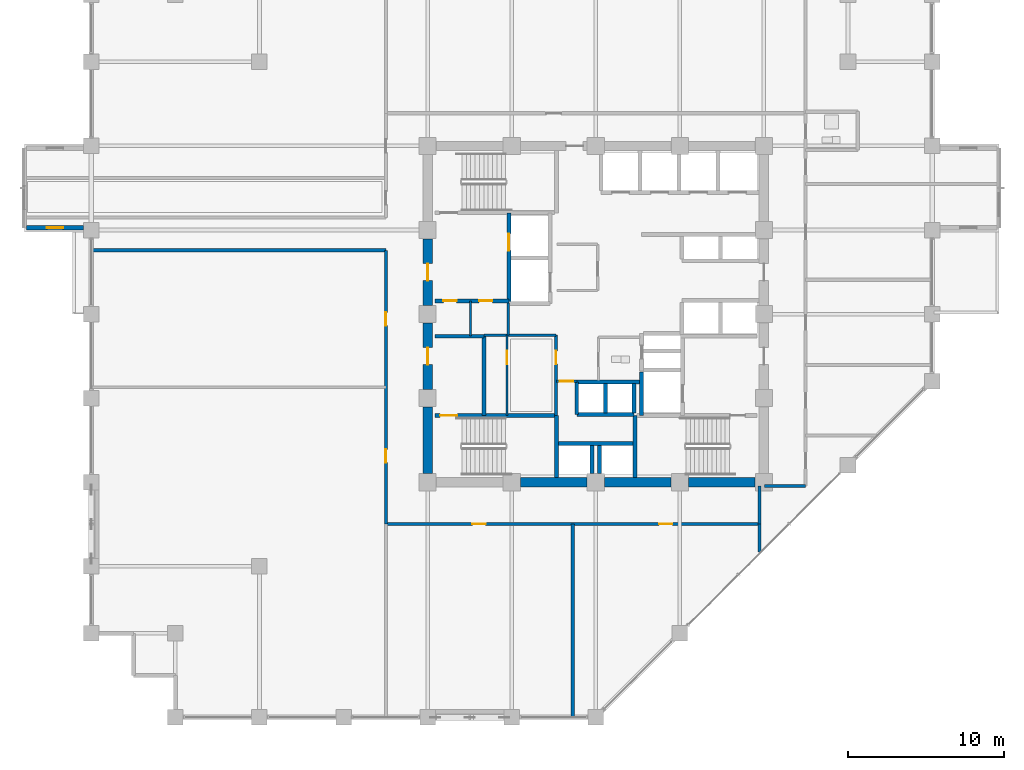
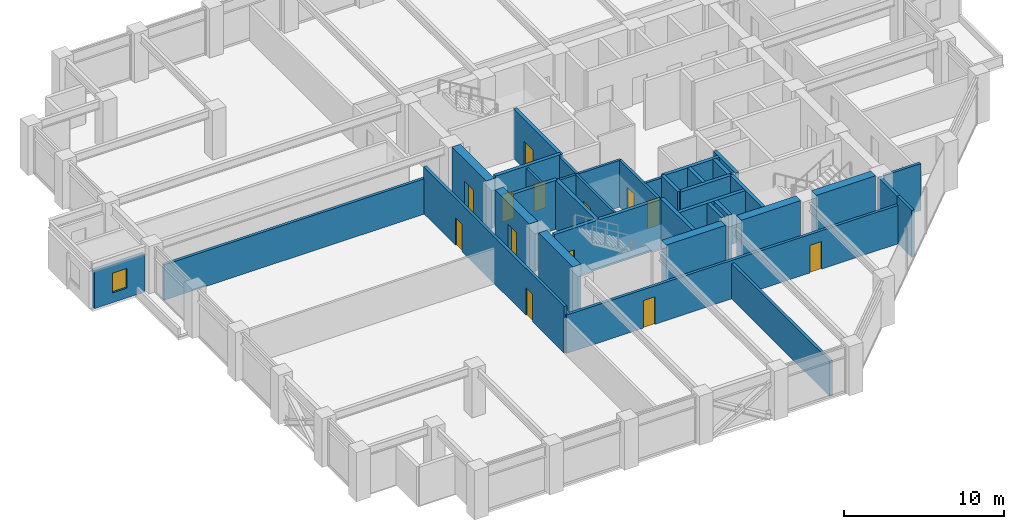
# One storey, part 22 of 29: 36 walls, 13 doors, 1 window, 14 openings.
"""IFC4 building model written with IfcOpenShell, lengths in metres."""

import ifcopenshell
import ifcopenshell.guid

model = None  # the IFC model being written
_history = None  # IfcOwnerHistory: only IFC2X3 demands one
_inside = {}  # id of a spatial element -> (the spatial element, [elements in it])
_under = {}  # id of a project, library or spatial element -> (it, [spatial elements below it])
_declared = {}  # id of a project -> (the project, [libraries it declares])
_typed = {}  # id of a type object -> (the type object, [elements of that type])
_made_of = {}  # id of a material, layer set ... -> (it, [elements and type objects made of it])


def new_model(schema):
    """Start an empty IFC model of exactly this schema.

    Asked for "IFC4X3", IfcOpenShell would pick the latest addendum, in which some entities
    have other attributes; the version numbers below select the first issue.
    IFC2X3 requires an IfcOwnerHistory on every rooted entity: one is made here for all.
    """
    global model, _history
    if schema == "IFC4X3":
        model = ifcopenshell.file(schema_version=(4, 3, 0, 0))
    else:
        model = ifcopenshell.file(schema=schema)
    _inside.clear()
    _under.clear()
    _declared.clear()
    _typed.clear()
    _made_of.clear()
    _history = None
    if model.schema == "IFC2X3":
        org = make("IfcOrganization", Name="unknown")
        user = make(
            "IfcPersonAndOrganization",
            ThePerson=make("IfcPerson", FamilyName="unknown"),
            TheOrganization=org,
        )
        app = make(
            "IfcApplication",
            ApplicationDeveloper=org,
            Version="unknown",
            ApplicationFullName="unknown",
            ApplicationIdentifier="unknown",
        )
        _history = make(
            "IfcOwnerHistory",
            OwningUser=user,
            OwningApplication=app,
            ChangeAction="ADDED",
            CreationDate=0,
        )
    return model


def make(cls, **values):
    """One entity of the class cls with the attributes given. An attribute that is None is left unset."""
    return model.create_entity(
        cls, **{name: value for name, value in values.items() if value is not None}
    )


def rooted(cls, **values):
    """An entity with a GlobalId (a new one), such as an element, a storey or a relation."""
    return make(cls, GlobalId=ifcopenshell.guid.new(), OwnerHistory=_history, **values)


def si_unit(unit_type, name, prefix=None):
    """IfcSIUnit, for example si_unit("LENGTHUNIT", "METRE", prefix="MILLI")."""
    return make("IfcSIUnit", UnitType=unit_type, Prefix=prefix, Name=name)


def assignment(units):
    """IfcUnitAssignment: the units of a project."""
    return None if units is None else make("IfcUnitAssignment", Units=units)


def point(xyz):
    """IfcCartesianPoint."""
    return None if xyz is None else make("IfcCartesianPoint", Coordinates=xyz)


def direction(xyz):
    """IfcDirection."""
    return None if xyz is None else make("IfcDirection", DirectionRatios=xyz)


def frame(location, z_axis=None, x_axis=None):
    """IfcAxis2Placement3D, a coordinate frame: its origin and axes. An axis left out is left unset."""
    return make(
        "IfcAxis2Placement3D",
        Location=point(location),
        Axis=direction(z_axis),
        RefDirection=direction(x_axis),
    )


def frame_2d(location, x_axis=None):
    """IfcAxis2Placement2D, a coordinate frame in the plane: its origin and x axis."""
    return make(
        "IfcAxis2Placement2D", Location=point(location), RefDirection=direction(x_axis)
    )


def origin():
    """The frame at (0, 0, 0) with its axes left unset."""
    return frame((0.0, 0.0, 0.0))


def place(relative_to, where):
    """IfcLocalPlacement: puts the frame where relative to a parent placement (None: the world)."""
    return make(
        "IfcLocalPlacement", PlacementRelTo=relative_to, RelativePlacement=where
    )


def context(
    kind, dimensions, precision=None, world=None, true_north=None, identifier=None
):
    """IfcGeometricRepresentationContext, for example the 3D "Model" context."""
    return make(
        "IfcGeometricRepresentationContext",
        ContextIdentifier=identifier,
        ContextType=kind,
        CoordinateSpaceDimension=dimensions,
        Precision=precision,
        WorldCoordinateSystem=world,
        TrueNorth=true_north,
    )


def subcontext(parent, identifier, kind, view, scale=None):
    """IfcGeometricRepresentationSubContext, for example "Body" below "Model"."""
    return make(
        "IfcGeometricRepresentationSubContext",
        ContextIdentifier=identifier,
        ContextType=kind,
        ParentContext=parent,
        TargetScale=scale,
        TargetView=view,
    )


def project(units=None, contexts=None):
    """IfcProject with its units and contexts."""
    return rooted(
        "IfcProject",
        Name="project",
        RepresentationContexts=contexts,
        UnitsInContext=assignment(units),
    )


def spatial(cls, under=None, at=None, **own):
    """A site, building, storey or space (cls), placed at a placement, below another one or the project."""
    s = rooted(cls, ObjectPlacement=at, **own)
    if under is not None:
        _under.setdefault(under.id(), (under, []))[1].append(s)
    return s


def profile(cls, at=None, kind="AREA", **sizes):
    """A parametric profile (cls). Its sizes go by their IFC names, for example OverallWidth=200.0."""
    return make(cls, ProfileType=kind, Position=at, **sizes)


def rectangle(**sizes):
    """IfcRectangleProfileDef."""
    return profile("IfcRectangleProfileDef", **sizes)


def extrude(swept, where, along, depth):
    """IfcExtrudedAreaSolid: the profile swept, set in the frame where, extruded along a direction by depth."""
    return make(
        "IfcExtrudedAreaSolid",
        SweptArea=swept,
        Position=where,
        ExtrudedDirection=direction(along),
        Depth=depth,
    )


def shape(context_of_items, identifier, shape_type, items):
    """IfcShapeRepresentation: the items that make up one representation, for example the "Body"."""
    return make(
        "IfcShapeRepresentation",
        ContextOfItems=context_of_items,
        RepresentationIdentifier=identifier,
        RepresentationType=shape_type,
        Items=items,
    )


def material(Name=None, Category=None):
    """IfcMaterial."""
    return make("IfcMaterial", Name=Name, Category=Category)


def layer(
    of_material, thickness, ventilated=None, Name=None, Category=None, Priority=None
):
    """IfcMaterialLayer: one layer of a wall or slab, of a material (None: an air gap)."""
    return make(
        "IfcMaterialLayer",
        Material=of_material,
        LayerThickness=thickness,
        IsVentilated=ventilated,
        Name=Name,
        Category=Category,
        Priority=Priority,
    )


def layer_set(layers, Name=None):
    """IfcMaterialLayerSet."""
    return make("IfcMaterialLayerSet", MaterialLayers=layers, LayerSetName=Name)


def made_of(thing, what):
    """Note that an element or type object is made of a material, layer set ...; save() writes the relation."""
    if what is not None:
        _made_of.setdefault(what.id(), (what, []))[1].append(thing)
    return thing


def type_object(cls, material=None, **own):
    """A type object (cls), such as IfcWallType, which elements share."""
    return made_of(rooted(cls, **own), material)


def element(
    cls,
    number,
    at=None,
    inside=None,
    cuts=None,
    type_object=None,
    material=None,
    context=None,
    identifier="Body",
    shape_type=None,
    held_by="IfcProductDefinitionShape",
    body=None,
    shapes=None,
    **own,
):
    """One element of the class cls, such as IfcWall. Its Tag is "e" and its number.

    at: its placement. inside: the storey or other place that contains it. cuts: it is an
    opening in that element (IfcRelVoidsElement). A single representation is given by context,
    identifier, shape_type and body (its items); several are given by shapes. held_by: the class
    of the entity that holds the representations. save() writes the other relations.
    """
    e = rooted(cls, Tag="e%d" % number, ObjectPlacement=at, **own)
    if body is not None:
        shapes = [shape(context, identifier, shape_type, body)]
    if shapes is not None:
        e.Representation = make(held_by, Representations=shapes)
    if inside is not None:
        _inside.setdefault(inside.id(), (inside, []))[1].append(e)
    if cuts is not None:
        rooted(
            "IfcRelVoidsElement", RelatingBuildingElement=cuts, RelatedOpeningElement=e
        )
    if type_object is not None:
        _typed.setdefault(type_object.id(), (type_object, []))[1].append(e)
    return made_of(e, material)


def fill(opening, filler):
    """IfcRelFillsElement: the door or window that sits in an opening."""
    return rooted(
        "IfcRelFillsElement",
        RelatingOpeningElement=opening,
        RelatedBuildingElement=filler,
    )


def aggregate(whole, parts):
    """IfcRelAggregates: a whole, such as a stair, and the parts it consists of."""
    return rooted("IfcRelAggregates", RelatingObject=whole, RelatedObjects=parts)


def save(model, path):
    """Write the relations noted so far, then the file.

    IfcRelAggregates (storeys below a building ...), IfcRelContainedInSpatialStructure (elements
    in a storey), IfcRelDefinesByType, IfcRelAssociatesMaterial and IfcRelDeclares: one each for
    every whole, place, type object, material and project.
    """
    for whole, parts in _under.values():
        aggregate(whole, parts)
    for where, things in _inside.values():
        rooted(
            "IfcRelContainedInSpatialStructure",
            RelatedElements=things,
            RelatingStructure=where,
        )
    for kind, things in _typed.values():
        rooted("IfcRelDefinesByType", RelatedObjects=things, RelatingType=kind)
    for what, things in _made_of.values():
        rooted("IfcRelAssociatesMaterial", RelatedObjects=things, RelatingMaterial=what)
    for by, libraries in _declared.values():
        rooted("IfcRelDeclares", RelatingContext=by, RelatedDefinitions=libraries)
    model.write(path)


model = new_model("IFC4")

# Units and contexts
model_context = context("Model", 3, precision=1e-05, world=origin(), true_north=direction((0.0, 1.0)))
body_context = subcontext(model_context, "Body", "Model", "MODEL_VIEW")
ifc_project = project(units=[si_unit("LENGTHUNIT", "METRE"), si_unit("AREAUNIT", "SQUARE_METRE"), si_unit("VOLUMEUNIT", "CUBIC_METRE"), si_unit("PLANEANGLEUNIT", "RADIAN"), si_unit("MASSUNIT", "GRAM", prefix="KILO")], contexts=[model_context])

# Site, building, storey
site_placement = place(None, origin())
site = spatial("IfcSite", under=ifc_project, at=site_placement, CompositionType="ELEMENT")
building_placement = place(site_placement, origin())
building = spatial("IfcBuilding", under=site, at=building_placement, Name="Surkhivell Harbour Commons", CompositionType="ELEMENT")
storey_placement = place(building_placement, frame((0.0, 0.0, 150.75)))
storey = spatial("IfcBuildingStorey", under=building, at=storey_placement, Name="L39", CompositionType="ELEMENT", Elevation=150.75)

# Walls
ifc_material_1 = material(Name="Concrete C60/75", Category="concrete")
ifc_layer_1 = layer(ifc_material_1, 0.60009765625)
ifc_layer_set_1 = layer_set([ifc_layer_1], Name="Concrete C60/75")
wall_type_1 = type_object("IfcWallType", Name="WAL-CORE-600", PredefinedType="SHEAR", material=ifc_layer_set_1)
for number, where, z_axis, x_axis, name in (
    (1, (-10.800048828125, -10.239990234375, 0.0), (0.0, 0.0, 1.0), (0.0, 1.0, 0.0), "L39 Core Shear Wall West 1"),
    (2, (-4.840087890625, -10.800048828125, 0.0), (0.0, 0.0, 1.0), (1.0, 0.0, 0.0), "L39 Core Shear Wall South 2"),
):
    element("IfcWall", number, at=place(storey_placement, frame(where, z_axis=z_axis, x_axis=x_axis)), inside=storey, type_object=wall_type_1, Name=name, PredefinedType="SHEAR", context=body_context, shape_type="SweptSolid", body=[
        extrude(rectangle(XDim=4.280029296875, YDim=0.60009765625, at=frame_2d((2.14013671875, 0.0))), origin(), (0.0, 0.0, 1.0), 3.75),
    ])

# Wall, opening, door
wall_1_placement = place(storey_placement, frame((-10.800048828125, -4.840087890625, 0.0), z_axis=(0.0, 0.0, 1.0), x_axis=(0.0, 1.0, 0.0)))
wall_1 = element("IfcWall", 3, at=wall_1_placement, inside=storey, type_object=wall_type_1, Name="L39 Core Shear Wall West 2", PredefinedType="SHEAR", context=body_context, shape_type="SweptSolid", body=[
    extrude(rectangle(XDim=4.280029296875, YDim=0.60009765625, at=frame_2d((2.14013671875, 0.0))), origin(), (0.0, 0.0, 1.0), 3.75),
])
opening_1_placement = place(wall_1_placement, frame((1.590087890625, 0.0, 0.0)))
opening_1 = element("IfcOpeningElement", 4, at=opening_1_placement, cuts=wall_1, Name="Opening ID-2", PredefinedType="OPENING", context=body_context, shape_type="SweptSolid", body=[
    extrude(rectangle(XDim=1.10009765625, YDim=2.10009765625, at=frame_2d((0.550048828125, 1.050048828125))), frame((0.0, 0.31005859375, 0.0), z_axis=(0.0, -1.0, 0.0), x_axis=(1.0, 0.0, 0.0)), (0.0, 0.0, 1.0), 0.6201171875),
])
ifc_material_2 = material(Name="Hardwood-veneered fire-rated door leaf", Category="wood")
door_type_1 = type_object("IfcDoorType", Name="DOR-FD60-1100", OperationType="NOTDEFINED", PredefinedType="DOOR", material=ifc_material_2)
door_1_placement = place(opening_1_placement, origin())
door_1 = element("IfcDoor", 5, at=door_1_placement, inside=storey, type_object=door_type_1, Name="L39 Stair 3 Lobby Corridor Door", OperationType="SINGLE_SWING_LEFT", OverallHeight=2.10009765625, OverallWidth=1.10009765625, PredefinedType="DOOR", context=body_context, shape_type="SweptSolid", body=[
    extrude(rectangle(XDim=1.10009765625, YDim=2.10009765625, at=frame_2d((0.550048828125, 1.050048828125))), frame((0.0, 0.02490234375, 0.0), z_axis=(0.0, -1.0, 0.0), x_axis=(1.0, 0.0, 0.0)), (0.0, 0.0, 1.0), 0.050048828125),
])
fill(opening_1, door_1)

# Wall
wall_2_placement = place(storey_placement, frame((0.56005859375, -10.800048828125, 0.0), z_axis=(0.0, 0.0, 1.0), x_axis=(1.0, 0.0, 0.0)))
element("IfcWall", 6, at=wall_2_placement, inside=storey, type_object=wall_type_1, Name="L39 Core Shear Wall South 3", PredefinedType="SHEAR", context=body_context, shape_type="SweptSolid", body=[
    extrude(rectangle(XDim=4.280029296875, YDim=0.60009765625, at=frame_2d((2.14013671875, 0.0))), origin(), (0.0, 0.0, 1.0), 3.75),
])

# Wall, opening, door
wall_3_placement = place(storey_placement, frame((-10.800048828125, 0.56005859375, 0.0), z_axis=(0.0, 0.0, 1.0), x_axis=(0.0, 1.0, 0.0)))
wall_3 = element("IfcWall", 7, at=wall_3_placement, inside=storey, type_object=wall_type_1, Name="L39 Core Shear Wall West 3", PredefinedType="SHEAR", context=body_context, shape_type="SweptSolid", body=[
    extrude(rectangle(XDim=4.280029296875, YDim=0.60009765625, at=frame_2d((2.14013671875, 0.0))), origin(), (0.0, 0.0, 1.0), 3.75),
])
opening_2_placement = place(wall_3_placement, frame((1.590087890625, 0.0, 0.0)))
opening_2 = element("IfcOpeningElement", 8, at=opening_2_placement, cuts=wall_3, Name="Opening ID-1", PredefinedType="OPENING", context=body_context, shape_type="SweptSolid", body=[
    extrude(rectangle(XDim=1.10009765625, YDim=2.10009765625, at=frame_2d((0.550048828125, 1.050048828125))), frame((0.0, 0.31005859375, 0.0), z_axis=(0.0, -1.0, 0.0), x_axis=(1.0, 0.0, 0.0)), (0.0, 0.0, 1.0), 0.6201171875),
])
door_type_2 = type_object("IfcDoorType", Name="DOR-FD120-1100", OperationType="NOTDEFINED", PredefinedType="DOOR", material=ifc_material_2)
door_2_placement = place(opening_2_placement, origin())
door_2 = element("IfcDoor", 9, at=door_2_placement, inside=storey, type_object=door_type_2, Name="L39 Firefighting Lobby 1 Corridor Door", OperationType="SINGLE_SWING_LEFT", OverallHeight=2.10009765625, OverallWidth=1.10009765625, PredefinedType="DOOR", context=body_context, shape_type="SweptSolid", body=[
    extrude(rectangle(XDim=1.10009765625, YDim=2.10009765625, at=frame_2d((0.550048828125, 1.050048828125))), frame((0.0, 0.02490234375, 0.0), z_axis=(0.0, -1.0, 0.0), x_axis=(1.0, 0.0, 0.0)), (0.0, 0.0, 1.0), 0.050048828125),
])
fill(opening_2, door_2)

# Wall
wall_4_placement = place(storey_placement, frame((5.9599609375, -10.800048828125, 0.0), z_axis=(0.0, 0.0, 1.0), x_axis=(1.0, 0.0, 0.0)))
element("IfcWall", 10, at=wall_4_placement, inside=storey, type_object=wall_type_1, Name="L39 Core Shear Wall South 4", PredefinedType="SHEAR", context=body_context, shape_type="SweptSolid", body=[
    extrude(rectangle(XDim=4.280029296875, YDim=0.60009765625, at=frame_2d((2.14013671875, 0.0))), origin(), (0.0, 0.0, 1.0), 3.75),
])

# Wall, opening, window
ifc_material_3 = material(Name="Flemish-bond kiln brick and precast concrete C45/55", Category="masonry")
ifc_layer_2 = layer(ifc_material_3, 0.300048828125)
ifc_layer_set_2 = layer_set([ifc_layer_2], Name="Flemish-bond kiln brick and precast concrete C45/55")
wall_type_2 = type_object("IfcWallType", Name="WAL-EXT-BRK300", PredefinedType="STANDARD", material=ifc_layer_set_2)
wall_5_placement = place(storey_placement, frame((-36.56005859375, 5.5400390625, 0.0), z_axis=(0.0, 0.0, 1.0), x_axis=(1.0, 0.0, 0.0)))
wall_5 = element("IfcWall", 11, at=wall_5_placement, inside=storey, type_object=wall_type_2, Name="L39 Coloured Box Return Wall 02S", PredefinedType="STANDARD", context=body_context, shape_type="SweptSolid", body=[
    extrude(rectangle(XDim=3.656005859375, YDim=0.300048828125, at=frame_2d((1.828125, 0.0))), origin(), (0.0, 0.0, 1.0), 2.85693359375),
])
opening_3_placement = place(wall_5_placement, frame((1.302978515625, 0.0, 0.75)))
opening_3 = element("IfcOpeningElement", 12, at=opening_3_placement, cuts=wall_5, Name="Opening WN-11", PredefinedType="OPENING", context=body_context, shape_type="SweptSolid", body=[
    extrude(rectangle(XDim=1.050048828125, YDim=1.5, at=frame_2d((0.52490234375, 0.75))), frame((0.0, 0.159912109375, 0.0), z_axis=(0.0, -1.0, 0.0), x_axis=(1.0, 0.0, 0.0)), (0.0, 0.0, 1.0), 0.320068359375),
])
ifc_material_4 = material(Name="Thermal-break aluminium frame and double low-E glazing", Category="aluminium")
window_type = type_object("IfcWindowType", Name="WIN-SER-1050x1500", PartitioningType="SINGLE_PANEL", PredefinedType="WINDOW", material=ifc_material_4)
window_placement = place(opening_3_placement, origin())
window = element("IfcWindow", 13, at=window_placement, inside=storey, type_object=window_type, Name="L39 Coloured Box Return Window 02S", OverallHeight=1.5, OverallWidth=1.050048828125, PartitioningType="SINGLE_PANEL", PredefinedType="WINDOW", context=body_context, shape_type="SweptSolid", body=[
    extrude(rectangle(XDim=1.050048828125, YDim=1.5, at=frame_2d((0.52490234375, 0.75))), frame((0.0, 0.030029296875, 0.0), z_axis=(0.0, -1.0, 0.0), x_axis=(1.0, 0.0, 0.0)), (0.0, 0.0, 1.0), 0.06005859375),
])
fill(opening_3, window)

# Wall, opening, door
ifc_material_5 = material(Name="Twin-stud acoustic fireboard partition", Category="other")
ifc_layer_3 = layer(ifc_material_5, 0.14990234375)
ifc_layer_set_3 = layer_set([ifc_layer_3], Name="Twin-stud acoustic fireboard partition")
wall_type_3 = type_object("IfcWallType", Name="WAL-INT-150", PredefinedType="PARTITIONING", material=ifc_layer_set_3)
wall_6_placement = place(storey_placement, frame((-5.699951171875, -6.510009765625, 0.0), z_axis=(0.0, 0.0, 1.0), x_axis=(0.0, 1.0, 0.0)))
wall_6 = element("IfcWall", 14, at=wall_6_placement, inside=storey, type_object=wall_type_3, Name="L39 Core Cut B Partition", PredefinedType="PARTITIONING", context=body_context, shape_type="SweptSolid", body=[
    extrude(rectangle(XDim=5.159912109375, YDim=0.14990234375, at=frame_2d((2.580078125, 0.0))), origin(), (0.0, 0.0, 1.0), 3.570068359375),
])
opening_4_placement = place(wall_6_placement, frame((3.300048828125, 0.0, 0.0)))
opening_4 = element("IfcOpeningElement", 15, at=opening_4_placement, cuts=wall_6, Name="Opening ID-6", PredefinedType="OPENING", context=body_context, shape_type="SweptSolid", body=[
    extrude(rectangle(XDim=0.85009765625, YDim=2.10009765625, at=frame_2d((0.425048828125, 1.050048828125))), frame((0.0, 0.0849609375, 0.0), z_axis=(0.0, -1.0, 0.0), x_axis=(1.0, 0.0, 0.0)), (0.0, 0.0, 1.0), 0.169921875),
])
door_type_3 = type_object("IfcDoorType", Name="DOR-FD30-850", OperationType="NOTDEFINED", PredefinedType="DOOR", material=ifc_material_2)
door_3_placement = place(opening_4_placement, origin())
door_3 = element("IfcDoor", 16, at=door_3_placement, inside=storey, type_object=door_type_3, Name="L39 Core Focus Study Door", OperationType="SINGLE_SWING_RIGHT", OverallHeight=2.10009765625, OverallWidth=0.85009765625, PredefinedType="DOOR", context=body_context, shape_type="SweptSolid", body=[
    extrude(rectangle(XDim=0.85009765625, YDim=2.10009765625, at=frame_2d((0.425048828125, 1.050048828125))), frame((0.0, 0.02490234375, 0.0), z_axis=(0.0, -1.0, 0.0), x_axis=(1.0, 0.0, 0.0)), (0.0, 0.0, 1.0), 0.050048828125),
])
fill(opening_4, door_3)

# Wall
wall_7_placement = place(storey_placement, frame((-8.050048828125, -1.419921875, 0.0), z_axis=(0.0, 0.0, 1.0), x_axis=(0.0, 1.0, 0.0)))
element("IfcWall", 17, at=wall_7_placement, inside=storey, type_object=wall_type_3, Name="L39 West Seminar Booth Divider", PredefinedType="PARTITIONING", context=body_context, shape_type="SweptSolid", body=[
    extrude(rectangle(XDim=2.27001953125, YDim=0.14990234375, at=frame_2d((1.135009765625, 0.0))), origin(), (0.0, 0.0, 1.0), 3.570068359375),
])

# Wall, opening, door
ifc_material_6 = material(Name="High-density acoustic blockwork fire partition", Category="masonry")
ifc_layer_4 = layer(ifc_material_6, 0.175048828125)
ifc_layer_set_4 = layer_set([ifc_layer_4], Name="High-density acoustic blockwork fire partition")
wall_type_4 = type_object("IfcWallType", Name="WAL-INT-175", PredefinedType="PARTITIONING", material=ifc_layer_set_4)
wall_8_placement = place(storey_placement, frame((-2.550048828125, -6.510009765625, 0.0), z_axis=(0.0, 0.0, 1.0), x_axis=(0.0, 1.0, 0.0)))
wall_8 = element("IfcWall", 18, at=wall_8_placement, inside=storey, type_object=wall_type_4, Name="L39 Core Service Bay East Wall", PredefinedType="PARTITIONING", context=body_context, shape_type="SweptSolid", body=[
    extrude(rectangle(XDim=5.159912109375, YDim=0.175048828125, at=frame_2d((2.580078125, 0.0))), origin(), (0.0, 0.0, 1.0), 3.570068359375),
])
opening_5_placement = place(wall_8_placement, frame((3.300048828125, 0.0, 0.0)))
opening_5 = element("IfcOpeningElement", 19, at=opening_5_placement, cuts=wall_8, Name="Opening ID-6", PredefinedType="OPENING", context=body_context, shape_type="SweptSolid", body=[
    extrude(rectangle(XDim=0.85009765625, YDim=2.10009765625, at=frame_2d((0.425048828125, 1.050048828125))), frame((0.0, 0.097412109375, 0.0), z_axis=(0.0, -1.0, 0.0), x_axis=(1.0, 0.0, 0.0)), (0.0, 0.0, 1.0), 0.195068359375),
])
door_4_placement = place(opening_5_placement, origin())
door_4 = element("IfcDoor", 20, at=door_4_placement, inside=storey, type_object=door_type_3, Name="L39 Core Music Door", OperationType="SINGLE_SWING_LEFT", OverallHeight=2.10009765625, OverallWidth=0.85009765625, PredefinedType="DOOR", context=body_context, shape_type="SweptSolid", body=[
    extrude(rectangle(XDim=0.85009765625, YDim=2.10009765625, at=frame_2d((0.425048828125, 1.050048828125))), frame((0.0, 0.02490234375, 0.0), z_axis=(0.0, -1.0, 0.0), x_axis=(1.0, 0.0, 0.0)), (0.0, 0.0, 1.0), 0.050048828125),
])
fill(opening_5, door_4)

# Walls
wall_9_placement = place(storey_placement, frame((-7.179931640625, -1.35009765625, 0.0), z_axis=(0.0, 0.0, 1.0), x_axis=(1.0, 0.0, 0.0)))
element("IfcWall", 21, at=wall_9_placement, inside=storey, type_object=wall_type_4, Name="L39 Core Service Bay North Wall", PredefinedType="PARTITIONING", context=body_context, shape_type="SweptSolid", body=[
    extrude(rectangle(XDim=4.6298828125, YDim=0.175048828125, at=frame_2d((2.31494140625, 0.0))), origin(), (0.0, 0.0, 1.0), 3.570068359375),
])
wall_10_placement = place(storey_placement, frame((-5.6201171875, -1.35009765625, 0.0), z_axis=(0.0, 0.0, 1.0), x_axis=(0.0, 1.0, 0.0)))
element("IfcWall", 22, at=wall_10_placement, inside=storey, type_object=wall_type_4, Name="L39 West Core Bay East Wall", PredefinedType="PARTITIONING", context=body_context, shape_type="SweptSolid", body=[
    extrude(rectangle(XDim=2.070068359375, YDim=0.175048828125, at=frame_2d((1.03515625, 0.0))), origin(), (0.0, 0.0, 1.0), 3.570068359375),
])

# Wall, opening, door
wall_11_placement = place(storey_placement, frame((-2.52001953125, -4.320068359375, 0.0), z_axis=(0.0, 0.0, 1.0), x_axis=(1.0, 0.0, 0.0)))
wall_11 = element("IfcWall", 23, at=wall_11_placement, inside=storey, type_object=wall_type_4, Name="L39 High-Rise Lobby North Portal Wall", PredefinedType="PARTITIONING", context=body_context, shape_type="SweptSolid", body=[
    extrude(rectangle(XDim=1.300048828125, YDim=0.175048828125, at=frame_2d((0.64990234375, 0.0))), origin(), (0.0, 0.0, 1.0), 3.570068359375),
])
opening_6_placement = place(wall_11_placement, frame((0.219970703125, 0.0, 0.0)))
opening_6 = element("IfcOpeningElement", 24, at=opening_6_placement, cuts=wall_11, Name="Opening ID-6", PredefinedType="OPENING", context=body_context, shape_type="SweptSolid", body=[
    extrude(rectangle(XDim=0.85009765625, YDim=2.10009765625, at=frame_2d((0.425048828125, 1.050048828125))), frame((0.0, 0.097412109375, 0.0), z_axis=(0.0, -1.0, 0.0), x_axis=(1.0, 0.0, 0.0)), (0.0, 0.0, 1.0), 0.195068359375),
])
door_5_placement = place(opening_6_placement, origin())
door_5 = element("IfcDoor", 25, at=door_5_placement, inside=storey, type_object=door_type_3, Name="L39 High-Rise Lift Lobby North Door", OperationType="SINGLE_SWING_LEFT", OverallHeight=2.10009765625, OverallWidth=0.85009765625, PredefinedType="DOOR", context=body_context, shape_type="SweptSolid", body=[
    extrude(rectangle(XDim=0.85009765625, YDim=2.10009765625, at=frame_2d((0.425048828125, 1.050048828125))), frame((0.0, 0.02490234375, 0.0), z_axis=(0.0, -1.0, 0.0), x_axis=(1.0, 0.0, 0.0)), (0.0, 0.0, 1.0), 0.050048828125),
])
fill(opening_6, door_5)

# Walls
ifc_material_7 = material(Name="Autoclaved aerated concrete blockwork and fire plaster", Category="masonry")
ifc_layer_5 = layer(ifc_material_7, 0.199951171875)
ifc_layer_set_5 = layer_set([ifc_layer_5], Name="Autoclaved aerated concrete blockwork and fire plaster")
wall_type_5 = type_object("IfcWallType", Name="WAL-INT-200", PredefinedType="PARTITIONING", material=ifc_layer_set_5)
wall_12_placement = place(storey_placement, frame((10.52001953125, -15.295166015625, 0.0), z_axis=(0.0, 0.0, 1.0), x_axis=(0.0, 1.0, 0.0)))
element("IfcWall", 26, at=wall_12_placement, inside=storey, type_object=wall_type_5, Name="L39 South-East Wing Corner Divider", PredefinedType="PARTITIONING", context=body_context, shape_type="SweptSolid", body=[
    extrude(rectangle(XDim=1.815185546875, YDim=0.199951171875, at=frame_2d((0.90771484375, 0.0))), origin(), (0.0, 0.0, 1.0), 3.570068359375),
])
wall_13_placement = place(storey_placement, frame((10.85009765625, -11.0400390625, 0.0), z_axis=(0.0, 0.0, 1.0), x_axis=(1.0, 0.0, 0.0)))
element("IfcWall", 27, at=wall_13_placement, inside=storey, type_object=wall_type_5, Name="L39 Corridor East South Closure Wall", PredefinedType="PARTITIONING", context=body_context, shape_type="SweptSolid", body=[
    extrude(rectangle(XDim=2.6298828125, YDim=0.199951171875, at=frame_2d((1.31494140625, 0.0))), origin(), (0.0, 0.0, 1.0), 3.570068359375),
])

# Wall, openings, doors
wall_14_placement = place(storey_placement, frame((-13.47998046875, -13.47998046875, 0.0), z_axis=(0.0, 0.0, 1.0), x_axis=(1.0, 0.0, 0.0)))
wall_14 = element("IfcWall", 28, at=wall_14_placement, inside=storey, type_object=wall_type_5, Name="L39 Corridor South Wall", PredefinedType="PARTITIONING", context=body_context, shape_type="SweptSolid", body=[
    extrude(rectangle(XDim=24.0, YDim=0.199951171875, at=frame_2d((12.0, 0.0))), origin(), (0.0, 0.0, 1.0), 2.93310546875),
])
opening_7_placement = place(wall_14_placement, frame((5.550048828125, 0.0, 0.0)))
opening_7 = element("IfcOpeningElement", 29, at=opening_7_placement, cuts=wall_14, Name="Opening ID-6", PredefinedType="OPENING", context=body_context, shape_type="SweptSolid", body=[
    extrude(rectangle(XDim=0.85009765625, YDim=2.10009765625, at=frame_2d((0.425048828125, 1.050048828125))), frame((0.0, 0.10986328125, 0.0), z_axis=(0.0, -1.0, 0.0), x_axis=(1.0, 0.0, 0.0)), (0.0, 0.0, 1.0), 0.219970703125),
])
opening_8_placement = place(wall_14_placement, frame((17.550048828125, 0.0, 0.0)))
opening_8 = element("IfcOpeningElement", 30, at=opening_8_placement, cuts=wall_14, Name="Opening ID-6", PredefinedType="OPENING", context=body_context, shape_type="SweptSolid", body=[
    extrude(rectangle(XDim=0.85009765625, YDim=2.10009765625, at=frame_2d((0.425048828125, 1.050048828125))), frame((0.0, 0.10986328125, 0.0), z_axis=(0.0, -1.0, 0.0), x_axis=(1.0, 0.0, 0.0)), (0.0, 0.0, 1.0), 0.219970703125),
])
door_6_placement = place(opening_7_placement, origin())
door_6 = element("IfcDoor", 31, at=door_6_placement, inside=storey, type_object=door_type_3, Name="L39 Campus Co-Op Bookshop South Door", OperationType="SINGLE_SWING_RIGHT", OverallHeight=2.10009765625, OverallWidth=0.85009765625, PredefinedType="DOOR", context=body_context, shape_type="SweptSolid", body=[
    extrude(rectangle(XDim=0.85009765625, YDim=2.10009765625, at=frame_2d((0.425048828125, 1.050048828125))), frame((0.0, 0.02490234375, 0.0), z_axis=(0.0, -1.0, 0.0), x_axis=(1.0, 0.0, 0.0)), (0.0, 0.0, 1.0), 0.050048828125),
])
fill(opening_7, door_6)
door_7_placement = place(opening_8_placement, origin())
door_7 = element("IfcDoor", 32, at=door_7_placement, inside=storey, type_object=door_type_3, Name="L39 Harbour Espresso Cafe Shop South Door", OperationType="SINGLE_SWING_LEFT", OverallHeight=2.10009765625, OverallWidth=0.85009765625, PredefinedType="DOOR", context=body_context, shape_type="SweptSolid", body=[
    extrude(rectangle(XDim=0.85009765625, YDim=2.10009765625, at=frame_2d((0.425048828125, 1.050048828125))), frame((0.0, 0.02490234375, 0.0), z_axis=(0.0, -1.0, 0.0), x_axis=(1.0, 0.0, 0.0)), (0.0, 0.0, 1.0), 0.050048828125),
])
fill(opening_8, door_7)

# Walls
wall_15_placement = place(storey_placement, frame((10.52001953125, -13.47998046875, 0.0), z_axis=(0.0, 0.0, 1.0), x_axis=(0.0, 1.0, 0.0)))
element("IfcWall", 33, at=wall_15_placement, inside=storey, type_object=wall_type_5, Name="L39 Corridor SE Closure Wall", PredefinedType="PARTITIONING", context=body_context, shape_type="SweptSolid", body=[
    extrude(rectangle(XDim=2.43994140625, YDim=0.199951171875, at=frame_2d((1.219970703125, 0.0))), origin(), (0.0, 0.0, 1.0), 3.570068359375),
])
wall_16_placement = place(storey_placement, frame((-32.340087890625, 4.10009765625, 0.0), z_axis=(0.0, 0.0, 1.0), x_axis=(1.0, 0.0, 0.0)))
element("IfcWall", 34, at=wall_16_placement, inside=storey, type_object=wall_type_5, Name="L39 West Alcove South Wall", PredefinedType="PARTITIONING", context=body_context, shape_type="SweptSolid", body=[
    extrude(rectangle(XDim=18.860107421875, YDim=0.199951171875, at=frame_2d((9.43017578125, 0.0))), origin(), (0.0, 0.0, 1.0), 2.698974609375),
])

# Wall, openings, doors
wall_17_placement = place(storey_placement, frame((-13.47998046875, -13.47998046875, 0.0), z_axis=(0.0, 0.0, 1.0), x_axis=(0.0, 1.0, 0.0)))
wall_17 = element("IfcWall", 35, at=wall_17_placement, inside=storey, type_object=wall_type_5, Name="L39 Corridor West-Lower Wall", PredefinedType="PARTITIONING", context=body_context, shape_type="SweptSolid", body=[
    extrude(rectangle(XDim=17.580078125, YDim=0.199951171875, at=frame_2d((8.7900390625, 0.0))), origin(), (0.0, 0.0, 1.0), 3.570068359375),
])
opening_9_placement = place(wall_17_placement, frame((3.945068359375, 0.0, 0.0)))
opening_9 = element("IfcOpeningElement", 36, at=opening_9_placement, cuts=wall_17, Name="Opening ID-6", PredefinedType="OPENING", context=body_context, shape_type="SweptSolid", body=[
    extrude(rectangle(XDim=0.85009765625, YDim=2.10009765625, at=frame_2d((0.425048828125, 1.050048828125))), frame((0.0, 0.10986328125, 0.0), z_axis=(0.0, -1.0, 0.0), x_axis=(1.0, 0.0, 0.0)), (0.0, 0.0, 1.0), 0.219970703125),
])
opening_10_placement = place(wall_17_placement, frame((12.735107421875, 0.0, 0.0)))
opening_10 = element("IfcOpeningElement", 37, at=opening_10_placement, cuts=wall_17, Name="Opening ID-6", PredefinedType="OPENING", context=body_context, shape_type="SweptSolid", body=[
    extrude(rectangle(XDim=0.85009765625, YDim=2.10009765625, at=frame_2d((0.425048828125, 1.050048828125))), frame((0.0, 0.10986328125, 0.0), z_axis=(0.0, -1.0, 0.0), x_axis=(1.0, 0.0, 0.0)), (0.0, 0.0, 1.0), 0.219970703125),
])
door_8_placement = place(opening_9_placement, origin())
door_8 = element("IfcDoor", 38, at=door_8_placement, inside=storey, type_object=door_type_3, Name="L39 Campus Co-Op Bookshop South-West Door", OperationType="SINGLE_SWING_LEFT", OverallHeight=2.10009765625, OverallWidth=0.85009765625, PredefinedType="DOOR", context=body_context, shape_type="SweptSolid", body=[
    extrude(rectangle(XDim=0.85009765625, YDim=2.10009765625, at=frame_2d((0.425048828125, 1.050048828125))), frame((0.0, 0.02490234375, 0.0), z_axis=(0.0, -1.0, 0.0), x_axis=(1.0, 0.0, 0.0)), (0.0, 0.0, 1.0), 0.050048828125),
])
fill(opening_9, door_8)
door_9_placement = place(opening_10_placement, origin())
door_9 = element("IfcDoor", 39, at=door_9_placement, inside=storey, type_object=door_type_3, Name="L39 Harbour Espresso Cafe Shop South-West Door", OperationType="SINGLE_SWING_RIGHT", OverallHeight=2.10009765625, OverallWidth=0.85009765625, PredefinedType="DOOR", context=body_context, shape_type="SweptSolid", body=[
    extrude(rectangle(XDim=0.85009765625, YDim=2.10009765625, at=frame_2d((0.425048828125, 1.050048828125))), frame((0.0, 0.02490234375, 0.0), z_axis=(0.0, -1.0, 0.0), x_axis=(1.0, 0.0, 0.0)), (0.0, 0.0, 1.0), 0.050048828125),
])
fill(opening_10, door_9)

# Wall
wall_18_placement = place(storey_placement, frame((-1.47998046875, -25.840087890625, 0.0), z_axis=(0.0, 0.0, 1.0), x_axis=(0.0, 1.0, 0.0)))
element("IfcWall", 40, at=wall_18_placement, inside=storey, type_object=wall_type_5, Name="L39 South Partition P1", PredefinedType="PARTITIONING", context=body_context, shape_type="SweptSolid", body=[
    extrude(rectangle(XDim=12.360107421875, YDim=0.199951171875, at=frame_2d((6.18017578125, 0.0))), origin(), (0.0, 0.0, 1.0), 2.698974609375),
])

# Wall, opening, door
ifc_material_8 = material(Name="Concrete C50/60", Category="concrete")
ifc_layer_6 = layer(ifc_material_8, 0.25)
ifc_layer_set_6 = layer_set([ifc_layer_6], Name="Concrete C50/60")
wall_type_6 = type_object("IfcWallType", Name="WAL-SHAFT-250", PredefinedType="SHEAR", material=ifc_layer_set_6)
wall_19_placement = place(storey_placement, frame((-5.580078125, 0.719970703125, 0.0), z_axis=(0.0, 0.0, 1.0), x_axis=(0.0, 1.0, 0.0)))
wall_19 = element("IfcWall", 41, at=wall_19_placement, inside=storey, type_object=wall_type_6, Name="L39 Firefighting Lobby 1 East Shaft Wall", PredefinedType="SHEAR", context=body_context, shape_type="SweptSolid", body=[
    extrude(rectangle(XDim=5.7900390625, YDim=0.25, at=frame_2d((2.89501953125, 0.0))), origin(), (0.0, 0.0, 1.0), 3.75),
])
opening_11_placement = place(wall_19_placement, frame((3.35009765625, 0.0, 0.0)))
opening_11 = element("IfcOpeningElement", 42, at=opening_11_placement, cuts=wall_19, Name="Opening LD-1", PredefinedType="OPENING", context=body_context, shape_type="SweptSolid", body=[
    extrude(rectangle(XDim=1.10009765625, YDim=2.10009765625, at=frame_2d((0.550048828125, 1.050048828125))), frame((0.0, 0.135009765625, 0.0), z_axis=(0.0, -1.0, 0.0), x_axis=(1.0, 0.0, 0.0)), (0.0, 0.0, 1.0), 0.27001953125),
])
ifc_material_9 = material(Name="Brushed stainless steel S355", Category="steel")
door_type_4 = type_object("IfcDoorType", Name="DOR-LD-1100", OperationType="SLIDING_TO_LEFT", PredefinedType="DOOR", material=ifc_material_9)
door_10_placement = place(opening_11_placement, origin())
door_10 = element("IfcDoor", 43, at=door_10_placement, inside=storey, type_object=door_type_4, Name="L39 Lift Landing Door LD-FFL1", OperationType="SLIDING_TO_LEFT", OverallHeight=2.10009765625, OverallWidth=1.10009765625, PredefinedType="DOOR", context=body_context, shape_type="SweptSolid", body=[
    extrude(rectangle(XDim=1.10009765625, YDim=2.10009765625, at=frame_2d((0.550048828125, 1.050048828125))), frame((0.0, 0.02490234375, 0.0), z_axis=(0.0, -1.0, 0.0), x_axis=(1.0, 0.0, 0.0)), (0.0, 0.0, 1.0), 0.050048828125),
])
fill(opening_11, door_10)

# Wall, openings, doors
wall_20_placement = place(storey_placement, frame((-10.340087890625, 0.85009765625, 0.0), z_axis=(0.0, 0.0, 1.0), x_axis=(1.0, 0.0, 0.0)))
wall_20 = element("IfcWall", 44, at=wall_20_placement, inside=storey, type_object=wall_type_6, Name="L39 Firefighting Lobby 1 South Wall", PredefinedType="SHEAR", context=body_context, shape_type="SweptSolid", body=[
    extrude(rectangle(XDim=4.760009765625, YDim=0.25, at=frame_2d((2.3798828125, 0.0))), origin(), (0.0, 0.0, 1.0), 3.75),
])
opening_12_placement = place(wall_20_placement, frame((0.550048828125, 0.0, 0.0)))
opening_12 = element("IfcOpeningElement", 45, at=opening_12_placement, cuts=wall_20, Name="Opening ID-6", PredefinedType="OPENING", context=body_context, shape_type="SweptSolid", body=[
    extrude(rectangle(XDim=0.85009765625, YDim=2.10009765625, at=frame_2d((0.425048828125, 1.050048828125))), frame((0.0, 0.135009765625, 0.0), z_axis=(0.0, -1.0, 0.0), x_axis=(1.0, 0.0, 0.0)), (0.0, 0.0, 1.0), 0.27001953125),
])
opening_13_placement = place(wall_20_placement, frame((2.85009765625, 0.0, 0.0)))
opening_13 = element("IfcOpeningElement", 46, at=opening_13_placement, cuts=wall_20, Name="Opening ID-6", PredefinedType="OPENING", context=body_context, shape_type="SweptSolid", body=[
    extrude(rectangle(XDim=0.85009765625, YDim=2.10009765625, at=frame_2d((0.425048828125, 1.050048828125))), frame((0.0, 0.135009765625, 0.0), z_axis=(0.0, -1.0, 0.0), x_axis=(1.0, 0.0, 0.0)), (0.0, 0.0, 1.0), 0.27001953125),
])
door_11_placement = place(opening_12_placement, origin())
door_11 = element("IfcDoor", 47, at=door_11_placement, inside=storey, type_object=door_type_3, Name="L39 West Seminar 1 Door", OperationType="SINGLE_SWING_LEFT", OverallHeight=2.10009765625, OverallWidth=0.85009765625, PredefinedType="DOOR", context=body_context, shape_type="SweptSolid", body=[
    extrude(rectangle(XDim=0.85009765625, YDim=2.10009765625, at=frame_2d((0.425048828125, 1.050048828125))), frame((0.0, 0.02490234375, 0.0), z_axis=(0.0, -1.0, 0.0), x_axis=(1.0, 0.0, 0.0)), (0.0, 0.0, 1.0), 0.050048828125),
])
fill(opening_12, door_11)
door_12_placement = place(opening_13_placement, origin())
door_12 = element("IfcDoor", 48, at=door_12_placement, inside=storey, type_object=door_type_3, Name="L39 West Seminar 2 Door", OperationType="SINGLE_SWING_RIGHT", OverallHeight=2.10009765625, OverallWidth=0.85009765625, PredefinedType="DOOR", context=body_context, shape_type="SweptSolid", body=[
    extrude(rectangle(XDim=0.85009765625, YDim=2.10009765625, at=frame_2d((0.425048828125, 1.050048828125))), frame((0.0, 0.02490234375, 0.0), z_axis=(0.0, -1.0, 0.0), x_axis=(1.0, 0.0, 0.0)), (0.0, 0.0, 1.0), 0.050048828125),
])
fill(opening_13, door_12)

# Walls
wall_21_placement = place(storey_placement, frame((2.929931640625, -6.510009765625, 0.0), z_axis=(0.0, 0.0, 1.0), x_axis=(0.0, 1.0, 0.0)))
element("IfcWall", 49, at=wall_21_placement, inside=storey, type_object=wall_type_6, Name="L39 FFL2 West Shaft Wall", PredefinedType="SHEAR", context=body_context, shape_type="SweptSolid", body=[
    extrude(rectangle(XDim=2.7900390625, YDim=0.25, at=frame_2d((1.39501953125, 0.0))), origin(), (0.0, 0.0, 1.0), 3.75),
])
for number, where, z_axis, x_axis, name in (
    (50, (0.6201171875, -6.340087890625, 0.0), (0.0, 0.0, 1.0), (0.0, 1.0, 0.0), "L39 High-Rise Side Wall N"),
    (51, (2.449951171875, -6.340087890625, 0.0), (0.0, 0.0, 1.0), (0.0, 1.0, 0.0), "L39 High-Rise Side Wall N"),
):
    element("IfcWall", number, at=place(storey_placement, frame(where, z_axis=z_axis, x_axis=x_axis)), inside=storey, type_object=wall_type_6, Name=name, PredefinedType="SHEAR", context=body_context, shape_type="SweptSolid", body=[
        extrude(rectangle(XDim=1.880126953125, YDim=0.25, at=frame_2d((0.93994140625, 0.0))), origin(), (0.0, 0.0, 1.0), 3.75),
    ])
for number, where, z_axis, x_axis, name in (
    (52, (-0.25, -10.25, 0.0), (0.0, 0.0, 1.0), (0.0, 1.0, 0.0), "L39 High-Rise Side Wall S"),
    (53, (0.25, -10.25, 0.0), (0.0, 0.0, 1.0), (0.0, 1.0, 0.0), "L39 High-Rise Side Wall S"),
):
    element("IfcWall", number, at=place(storey_placement, frame(where, z_axis=z_axis, x_axis=x_axis)), inside=storey, type_object=wall_type_6, Name=name, PredefinedType="SHEAR", context=body_context, shape_type="SweptSolid", body=[
        extrude(rectangle(XDim=1.81005859375, YDim=0.25, at=frame_2d((0.905029296875, 0.0))), origin(), (0.0, 0.0, 1.0), 3.75),
    ])
wall_22_placement = place(storey_placement, frame((-1.219970703125, -6.43994140625, 0.0), z_axis=(0.0, 0.0, 1.0), x_axis=(0.0, 1.0, 0.0)))
element("IfcWall", 54, at=wall_22_placement, inside=storey, type_object=wall_type_6, Name="L39 High-Rise Passage East Shaft Wall", PredefinedType="SHEAR", context=body_context, shape_type="SweptSolid", body=[
    extrude(rectangle(XDim=2.079833984375, YDim=0.25, at=frame_2d((1.0400390625, 0.0))), origin(), (0.0, 0.0, 1.0), 3.75),
])
wall_23_placement = place(storey_placement, frame((-1.219970703125, -6.43994140625, 0.0), z_axis=(0.0, 0.0, 1.0), x_axis=(1.0, 0.0, 0.0)))
element("IfcWall", 55, at=wall_23_placement, inside=storey, type_object=wall_type_6, Name="L39 High-Rise North Front Shaft Wall", PredefinedType="SHEAR", context=body_context, shape_type="SweptSolid", body=[
    extrude(rectangle(XDim=3.669921875, YDim=0.25, at=frame_2d((1.8349609375, 0.0))), origin(), (0.0, 0.0, 1.0), 3.75),
])
wall_24_placement = place(storey_placement, frame((-2.47998046875, -8.320068359375, 0.0), z_axis=(0.0, 0.0, 1.0), x_axis=(1.0, 0.0, 0.0)))
element("IfcWall", 56, at=wall_24_placement, inside=storey, type_object=wall_type_6, Name="L39 High-Rise South Front Shaft Wall", PredefinedType="SHEAR", context=body_context, shape_type="SweptSolid", body=[
    extrude(rectangle(XDim=4.929931640625, YDim=0.25, at=frame_2d((2.46484375, 0.0))), origin(), (0.0, 0.0, 1.0), 3.75),
])
wall_25_placement = place(storey_placement, frame((-1.219970703125, -4.360107421875, 0.0), z_axis=(0.0, 0.0, 1.0), x_axis=(1.0, 0.0, 0.0)))
element("IfcWall", 57, at=wall_25_placement, inside=storey, type_object=wall_type_6, Name="L39 High-Rise North Back Shaft Wall", PredefinedType="SHEAR", context=body_context, shape_type="SweptSolid", body=[
    extrude(rectangle(XDim=4.030029296875, YDim=0.25, at=frame_2d((2.01513671875, 0.0))), origin(), (0.0, 0.0, 1.0), 3.75),
])
for number, where, z_axis, x_axis, name in (
    (58, (2.510009765625, -10.5, 0.0), (0.0, 0.0, 1.0), (0.0, 1.0, 0.0), "L39 Stair ST2 West Shear Wall"),
    (59, (-2.510009765625, -10.5, 0.0), (0.0, 0.0, 1.0), (0.0, 1.0, 0.0), "L39 Stair ST3 East Shear Wall"),
):
    element("IfcWall", number, at=place(storey_placement, frame(where, z_axis=z_axis, x_axis=x_axis)), inside=storey, type_object=wall_type_6, Name=name, PredefinedType="SHEAR", context=body_context, shape_type="SweptSolid", body=[
        extrude(rectangle(XDim=3.989990234375, YDim=0.25, at=frame_2d((1.9951171875, 0.0))), origin(), (0.0, 0.0, 1.0), 3.75),
    ])
wall_26_placement = place(storey_placement, frame((-7.179931640625, -6.510009765625, 0.0), z_axis=(0.0, 0.0, 1.0), x_axis=(0.0, 1.0, 0.0)))
element("IfcWall", 60, at=wall_26_placement, inside=storey, type_object=wall_type_6, Name="L39 Stair 3 Lobby East Wall", PredefinedType="SHEAR", context=body_context, shape_type="SweptSolid", body=[
    extrude(rectangle(XDim=5.090087890625, YDim=0.25, at=frame_2d((2.544921875, 0.0))), origin(), (0.0, 0.0, 1.0), 3.75),
])
wall_27_placement = place(storey_placement, frame((-10.340087890625, -1.419921875, 0.0), z_axis=(0.0, 0.0, 1.0), x_axis=(1.0, 0.0, 0.0)))
element("IfcWall", 61, at=wall_27_placement, inside=storey, type_object=wall_type_6, Name="L39 Stair 3 Lobby North Wall", PredefinedType="SHEAR", context=body_context, shape_type="SweptSolid", body=[
    extrude(rectangle(XDim=3.16015625, YDim=0.25, at=frame_2d((1.580078125, 0.0))), origin(), (0.0, 0.0, 1.0), 3.75),
])

# Wall, opening, door
wall_28_placement = place(storey_placement, frame((-10.340087890625, -6.510009765625, 0.0), z_axis=(0.0, 0.0, 1.0), x_axis=(1.0, 0.0, 0.0)))
wall_28 = element("IfcWall", 62, at=wall_28_placement, inside=storey, type_object=wall_type_6, Name="L39 Stair ST3 North Shear Wall", PredefinedType="SHEAR", context=body_context, shape_type="SweptSolid", body=[
    extrude(rectangle(XDim=7.7001953125, YDim=0.25, at=frame_2d((3.85009765625, 0.0))), origin(), (0.0, 0.0, 1.0), 3.75),
])
opening_14_placement = place(wall_28_placement, frame((0.35009765625, 0.0, 0.0)))
opening_14 = element("IfcOpeningElement", 63, at=opening_14_placement, cuts=wall_28, Name="Opening ID-2", PredefinedType="OPENING", context=body_context, shape_type="SweptSolid", body=[
    extrude(rectangle(XDim=1.10009765625, YDim=2.10009765625, at=frame_2d((0.550048828125, 1.050048828125))), frame((0.0, 0.135009765625, 0.0), z_axis=(0.0, -1.0, 0.0), x_axis=(1.0, 0.0, 0.0)), (0.0, 0.0, 1.0), 0.27001953125),
])
door_13_placement = place(opening_14_placement, origin())
door_13 = element("IfcDoor", 64, at=door_13_placement, inside=storey, type_object=door_type_1, Name="L39 Stair ST3 Exit Door", OperationType="SINGLE_SWING_RIGHT", OverallHeight=2.10009765625, OverallWidth=1.10009765625, PredefinedType="DOOR", context=body_context, shape_type="SweptSolid", body=[
    extrude(rectangle(XDim=1.10009765625, YDim=2.10009765625, at=frame_2d((0.550048828125, 1.050048828125))), frame((0.0, 0.02490234375, 0.0), z_axis=(0.0, -1.0, 0.0), x_axis=(1.0, 0.0, 0.0)), (0.0, 0.0, 1.0), 0.050048828125),
])
fill(opening_14, door_13)

save(model, "model.ifc")
